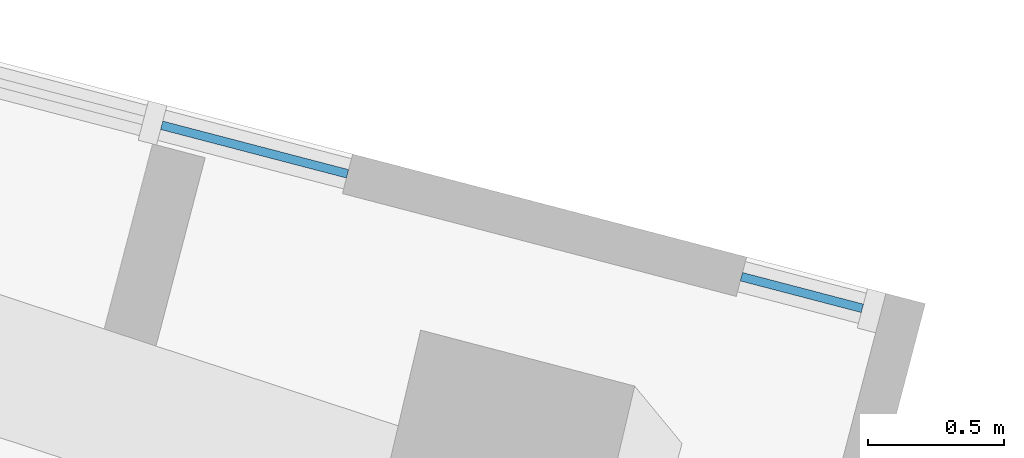
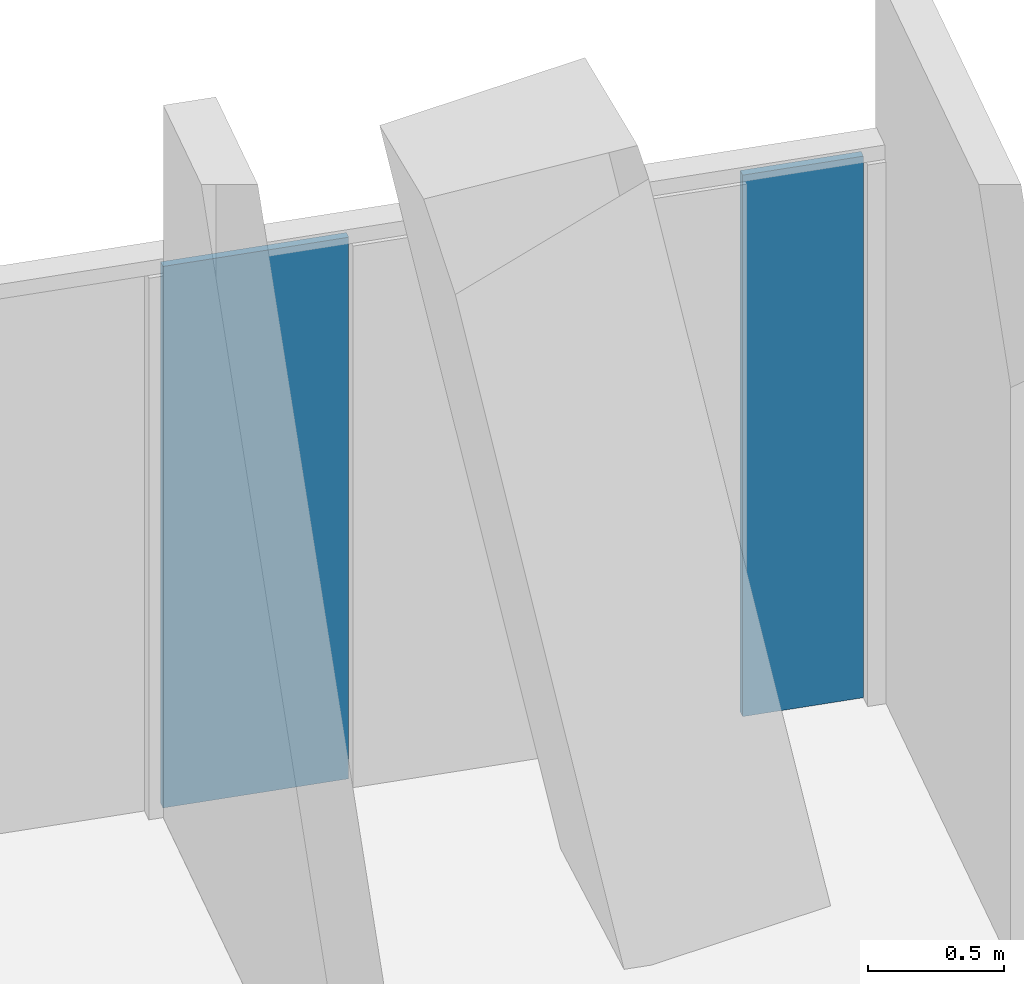
# One storey, part 14 of 26: 2 plates, 1 element without a shape of its own.
"""IFC4 building model written with IfcOpenShell, lengths in metres."""

from ifc_helpers import new_model, si_unit, direction, frame, origin, origin_2d, place, context, subcontext, project, spatial, rectangle, extrude, material, layer, layer_set, type_object, element, aggregate, save


model = new_model("IFC4")

# Units and contexts
model_context = context("Model", 3, precision=1e-05, world=origin(), true_north=direction((0.0, 1.0)))
body_context = subcontext(model_context, "Body", "Model", "MODEL_VIEW")
ifc_project = project(units=[si_unit("LENGTHUNIT", "METRE"), si_unit("AREAUNIT", "SQUARE_METRE"), si_unit("VOLUMEUNIT", "CUBIC_METRE"), si_unit("PLANEANGLEUNIT", "RADIAN"), si_unit("MASSUNIT", "GRAM", prefix="KILO")], contexts=[model_context])

# Site, building, storey
site_placement = place(None, origin())
site = spatial("IfcSite", under=ifc_project, at=site_placement, CompositionType="ELEMENT")
building_placement = place(site_placement, origin())
building = spatial("IfcBuilding", under=site, at=building_placement, Name="Verdalira Terraces Hotel", CompositionType="ELEMENT")
storey_placement = place(building_placement, frame((0.0, 0.0, 96.5)))
storey = spatial("IfcBuildingStorey", under=building, at=storey_placement, Name="L22", CompositionType="ELEMENT", Elevation=96.5)

# Curtain wall, plates
ifc_material_1 = material(Name="Clear glass", Category="glass")
ifc_layer_1 = layer(ifc_material_1, 0.14990234375)
ifc_layer_set_1 = layer_set([ifc_layer_1], Name="CW2 curtain wall")
curtain_wall_type = type_object("IfcCurtainWallType", Name="CW2 curtain wall", PredefinedType="NOTDEFINED", material=ifc_layer_set_1)
curtain_wall_placement = place(storey_placement, origin())
curtain_wall = element("IfcCurtainWall", 1, at=curtain_wall_placement, inside=storey, type_object=curtain_wall_type, Name="CW2 curtain wall L22 edge 38", PredefinedType="NOTDEFINED")
ifc_material_2 = material(Name="Clear glass", Category="glass")
ifc_layer_2 = layer(ifc_material_2, 0.031982421875)
ifc_layer_set_2 = layer_set([ifc_layer_2], Name="CW2 glass unit 32")
plate_type = type_object("IfcPlateType", Name="CW2 glass unit 32", PredefinedType="CURTAIN_PANEL", material=ifc_layer_set_2)
plate_1_placement = place(storey_placement, frame((30.242188, -1.259521, 0.0), z_axis=(0.0, 0.0, 1.0), x_axis=(-0.967532957, 0.252744885, 0.0)))
plate_1 = element("IfcPlate", 2, at=plate_1_placement, type_object=plate_type, Name="CW2 glass unit", PredefinedType="CURTAIN_PANEL", context=body_context, shape_type="SweptSolid", body=[
    extrude(rectangle(XDim=0.459961, YDim=0.031982, at=origin_2d()), origin(), (0.0, 0.0, 1.0), 2.425049),
])
plate_2_placement = place(storey_placement, frame((28.228271, -0.733398, 0.0), z_axis=(0.0, 0.0, 1.0), x_axis=(-0.967532957, 0.252744885, 0.0)))
plate_2 = element("IfcPlate", 3, at=plate_2_placement, type_object=plate_type, Name="CW2 glass unit", PredefinedType="CURTAIN_PANEL", context=body_context, shape_type="SweptSolid", body=[
    extrude(rectangle(XDim=0.707031, YDim=0.031982, at=origin_2d()), origin(), (0.0, 0.0, 1.0), 2.425049),
])
aggregate(curtain_wall, [plate_1, plate_2])

save(model, "model.ifc")
